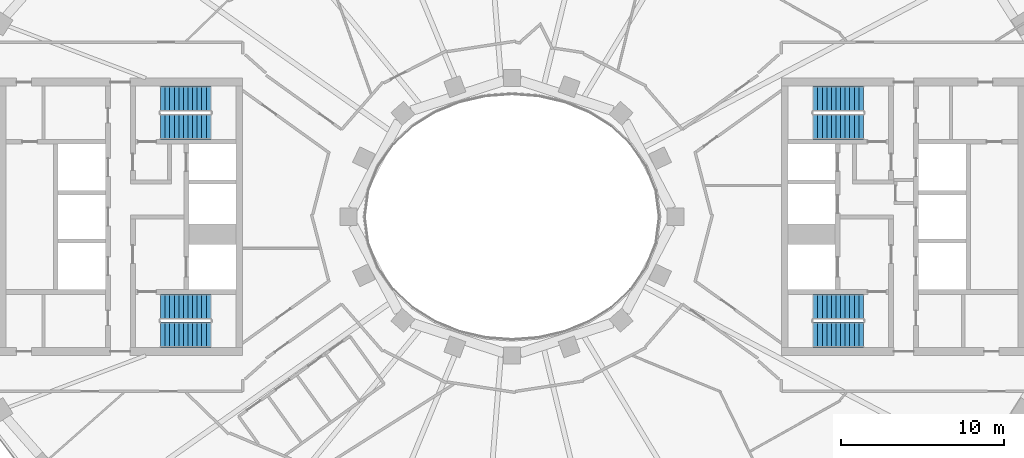
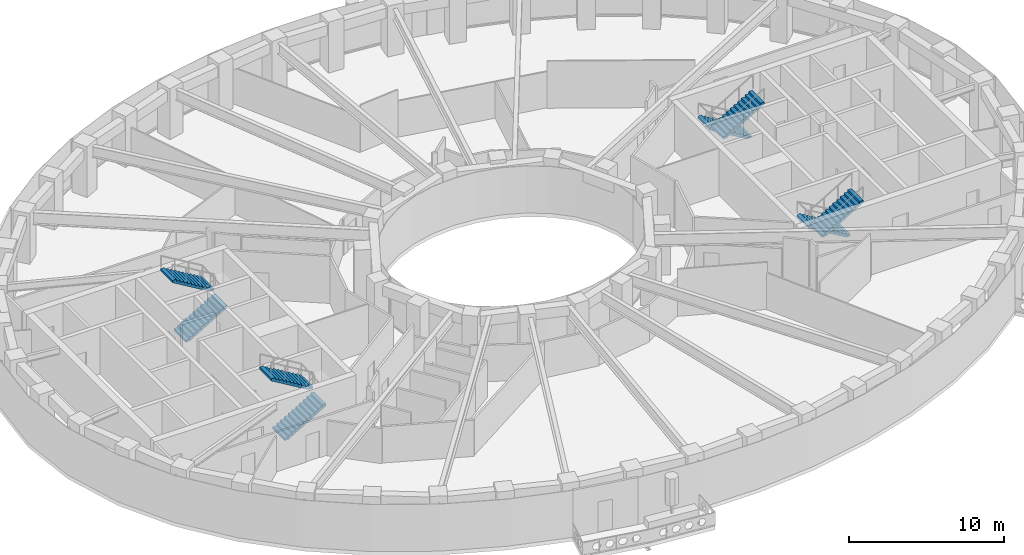
# One storey, part 7 of 16: 8 stair flights, 4 elements without a shape of their own.
"""IFC4 building model written with IfcOpenShell, lengths in metres."""

from ifc_helpers import new_model, si_unit, direction, frame, origin, place, context, subcontext, project, spatial, polyline, outline, extrude, material, type_object, element, aggregate, save


model = new_model("IFC4")

# Units and contexts
model_context = context("Model", 3, precision=1e-05, world=origin(), true_north=direction((0.0, 1.0)))
body_context = subcontext(model_context, "Body", "Model", "MODEL_VIEW")
ifc_project = project(units=[si_unit("LENGTHUNIT", "METRE"), si_unit("AREAUNIT", "SQUARE_METRE"), si_unit("VOLUMEUNIT", "CUBIC_METRE"), si_unit("PLANEANGLEUNIT", "RADIAN"), si_unit("MASSUNIT", "GRAM", prefix="KILO")], contexts=[model_context])

# Site, building, storey
site_placement = place(None, origin())
site = spatial("IfcSite", under=ifc_project, at=site_placement, CompositionType="ELEMENT")
building_placement = place(site_placement, origin())
building = spatial("IfcBuilding", under=site, at=building_placement, Name="Noorbagh Ring Tower", CompositionType="ELEMENT")
storey_placement = place(building_placement, frame((0.0, 0.0, 178.0)))
storey = spatial("IfcBuildingStorey", under=building, at=storey_placement, Name="L41", CompositionType="ELEMENT", Elevation=178.0)

# Stair, stair flights
ifc_material_1 = material(Name="Concrete C40/50", Category="concrete")
stair_type = type_object("IfcStairType", Name="CORE-STAIR", PredefinedType="HALF_TURN_STAIR", material=ifc_material_1)
stair_1_placement = place(storey_placement, origin())
stair_1 = element("IfcStair", 1, at=stair_1_placement, inside=storey, type_object=stair_type, Name="L41 Exit stair ST1", PredefinedType="HALF_TURN_STAIR")
ifc_material_2 = material(Name="Concrete C40/50", Category="concrete")
stair_flight_type = type_object("IfcStairFlightType", Name="CORE-STAIR-FLIGHT", PredefinedType="STRAIGHT", material=ifc_material_2)
stair_flight_1_placement = place(storey_placement, frame((-21.530029296875, 5.52490234375, 0.0), z_axis=(0.0, 0.0, 1.0), x_axis=(1.0, 0.0, 0.0)))
stair_flight_1 = element("IfcStairFlight", 2, at=stair_flight_1_placement, type_object=stair_flight_type, Name="ST1 flight 1", NumberOfRisers=12, NumberOfTreads=11, PredefinedType="STRAIGHT", RiserHeight=0.166666667, TreadLength=0.28, context=body_context, shape_type="SweptSolid", body=[
    extrude(outline(polyline([(0.0, 0.0), (0.0, 0.166748046875), (0.280029296875, 0.166748046875), (0.280029296875, 0.333251953125), (0.56005859375, 0.333251953125), (0.56005859375, 0.5), (0.840087890625, 0.5), (0.840087890625, 0.666748046875), (1.1201171875, 0.666748046875), (1.1201171875, 0.833251953125), (1.39990234375, 0.833251953125), (1.39990234375, 1.0), (1.679931640625, 1.0), (1.679931640625, 1.166748046875), (1.9599609375, 1.166748046875), (1.9599609375, 1.333251953125), (2.239990234375, 1.333251953125), (2.239990234375, 1.5), (2.52001953125, 1.5), (2.52001953125, 1.666748046875), (2.800048828125, 1.666748046875), (2.800048828125, 1.833251953125), (3.080078125, 1.833251953125), (3.080078125, 2.0), (3.080078125, 1.658935546875), (0.29296875, 0.0), (0.0, 0.0)])), frame((0.0, 0.77490234375, 0.0), z_axis=(0.0, -1.0, 0.0), x_axis=(1.0, 0.0, 0.0)), (0.0, 0.0, 1.0), 1.550048828125),
])
stair_flight_2_placement = place(storey_placement, frame((-18.449951171875, 7.22509765625, 2.0), z_axis=(0.0, 0.0, 1.0), x_axis=(-1.0, 0.0, 0.0)))
stair_flight_2 = element("IfcStairFlight", 3, at=stair_flight_2_placement, type_object=stair_flight_type, Name="ST1 flight 2", NumberOfRisers=12, NumberOfTreads=11, PredefinedType="STRAIGHT", RiserHeight=0.166666667, TreadLength=0.28, context=body_context, shape_type="SweptSolid", body=[
    extrude(outline(polyline([(0.0, 0.0), (0.0, 0.166748046875), (0.280029296875, 0.166748046875), (0.280029296875, 0.333251953125), (0.56005859375, 0.333251953125), (0.56005859375, 0.5), (0.840087890625, 0.5), (0.840087890625, 0.666748046875), (1.1201171875, 0.666748046875), (1.1201171875, 0.833251953125), (1.39990234375, 0.833251953125), (1.39990234375, 1.0), (1.679931640625, 1.0), (1.679931640625, 1.166748046875), (1.9599609375, 1.166748046875), (1.9599609375, 1.333251953125), (2.239990234375, 1.333251953125), (2.239990234375, 1.5), (2.52001953125, 1.5), (2.52001953125, 1.666748046875), (2.800048828125, 1.666748046875), (2.800048828125, 1.833251953125), (3.080078125, 1.833251953125), (3.080078125, 2.0), (3.080078125, 1.658935546875), (0.29296875, 0.0), (0.0, 0.0)])), frame((0.0, 0.77490234375, 0.0), z_axis=(0.0, -1.0, 0.0), x_axis=(1.0, 0.0, 0.0)), (0.0, 0.0, 1.0), 1.550048828125),
])
aggregate(stair_1, [stair_flight_1, stair_flight_2])

stair_2_placement = place(storey_placement, origin())
stair_2 = element("IfcStair", 4, at=stair_2_placement, inside=storey, type_object=stair_type, Name="L41 Exit stair ST2", PredefinedType="HALF_TURN_STAIR")
stair_flight_3_placement = place(storey_placement, frame((-21.530029296875, -7.22509765625, 0.0), z_axis=(0.0, 0.0, 1.0), x_axis=(1.0, 0.0, 0.0)))
stair_flight_3 = element("IfcStairFlight", 5, at=stair_flight_3_placement, type_object=stair_flight_type, Name="ST2 flight 1", NumberOfRisers=12, NumberOfTreads=11, PredefinedType="STRAIGHT", RiserHeight=0.166666667, TreadLength=0.28, context=body_context, shape_type="SweptSolid", body=[
    extrude(outline(polyline([(0.0, 0.0), (0.0, 0.166748046875), (0.280029296875, 0.166748046875), (0.280029296875, 0.333251953125), (0.56005859375, 0.333251953125), (0.56005859375, 0.5), (0.840087890625, 0.5), (0.840087890625, 0.666748046875), (1.1201171875, 0.666748046875), (1.1201171875, 0.833251953125), (1.39990234375, 0.833251953125), (1.39990234375, 1.0), (1.679931640625, 1.0), (1.679931640625, 1.166748046875), (1.9599609375, 1.166748046875), (1.9599609375, 1.333251953125), (2.239990234375, 1.333251953125), (2.239990234375, 1.5), (2.52001953125, 1.5), (2.52001953125, 1.666748046875), (2.800048828125, 1.666748046875), (2.800048828125, 1.833251953125), (3.080078125, 1.833251953125), (3.080078125, 2.0), (3.080078125, 1.658935546875), (0.29296875, 0.0), (0.0, 0.0)])), frame((0.0, 0.77490234375, 0.0), z_axis=(0.0, -1.0, 0.0), x_axis=(1.0, 0.0, 0.0)), (0.0, 0.0, 1.0), 1.550048828125),
])
stair_flight_4_placement = place(storey_placement, frame((-18.449951171875, -5.52490234375, 2.0), z_axis=(0.0, 0.0, 1.0), x_axis=(-1.0, 0.0, 0.0)))
stair_flight_4 = element("IfcStairFlight", 6, at=stair_flight_4_placement, type_object=stair_flight_type, Name="ST2 flight 2", NumberOfRisers=12, NumberOfTreads=11, PredefinedType="STRAIGHT", RiserHeight=0.166666667, TreadLength=0.28, context=body_context, shape_type="SweptSolid", body=[
    extrude(outline(polyline([(0.0, 0.0), (0.0, 0.166748046875), (0.280029296875, 0.166748046875), (0.280029296875, 0.333251953125), (0.56005859375, 0.333251953125), (0.56005859375, 0.5), (0.840087890625, 0.5), (0.840087890625, 0.666748046875), (1.1201171875, 0.666748046875), (1.1201171875, 0.833251953125), (1.39990234375, 0.833251953125), (1.39990234375, 1.0), (1.679931640625, 1.0), (1.679931640625, 1.166748046875), (1.9599609375, 1.166748046875), (1.9599609375, 1.333251953125), (2.239990234375, 1.333251953125), (2.239990234375, 1.5), (2.52001953125, 1.5), (2.52001953125, 1.666748046875), (2.800048828125, 1.666748046875), (2.800048828125, 1.833251953125), (3.080078125, 1.833251953125), (3.080078125, 2.0), (3.080078125, 1.658935546875), (0.29296875, 0.0), (0.0, 0.0)])), frame((0.0, 0.77490234375, 0.0), z_axis=(0.0, -1.0, 0.0), x_axis=(1.0, 0.0, 0.0)), (0.0, 0.0, 1.0), 1.550048828125),
])
aggregate(stair_2, [stair_flight_3, stair_flight_4])

stair_3_placement = place(storey_placement, origin())
stair_3 = element("IfcStair", 7, at=stair_3_placement, inside=storey, type_object=stair_type, Name="L41 Exit stair ST3", PredefinedType="HALF_TURN_STAIR")
stair_flight_5_placement = place(storey_placement, frame((21.530029296875, 7.22509765625, 0.0), z_axis=(0.0, 0.0, 1.0), x_axis=(-1.0, 0.0, 0.0)))
stair_flight_5 = element("IfcStairFlight", 8, at=stair_flight_5_placement, type_object=stair_flight_type, Name="ST3 flight 1", NumberOfRisers=12, NumberOfTreads=11, PredefinedType="STRAIGHT", RiserHeight=0.166666667, TreadLength=0.28, context=body_context, shape_type="SweptSolid", body=[
    extrude(outline(polyline([(0.0, 0.0), (0.0, 0.166748046875), (0.280029296875, 0.166748046875), (0.280029296875, 0.333251953125), (0.56005859375, 0.333251953125), (0.56005859375, 0.5), (0.840087890625, 0.5), (0.840087890625, 0.666748046875), (1.1201171875, 0.666748046875), (1.1201171875, 0.833251953125), (1.39990234375, 0.833251953125), (1.39990234375, 1.0), (1.679931640625, 1.0), (1.679931640625, 1.166748046875), (1.9599609375, 1.166748046875), (1.9599609375, 1.333251953125), (2.239990234375, 1.333251953125), (2.239990234375, 1.5), (2.52001953125, 1.5), (2.52001953125, 1.666748046875), (2.800048828125, 1.666748046875), (2.800048828125, 1.833251953125), (3.080078125, 1.833251953125), (3.080078125, 2.0), (3.080078125, 1.658935546875), (0.29296875, 0.0), (0.0, 0.0)])), frame((0.0, 0.77490234375, 0.0), z_axis=(0.0, -1.0, 0.0), x_axis=(1.0, 0.0, 0.0)), (0.0, 0.0, 1.0), 1.550048828125),
])
stair_flight_6_placement = place(storey_placement, frame((18.449951171875, 5.52490234375, 2.0), z_axis=(0.0, 0.0, 1.0), x_axis=(1.0, 0.0, 0.0)))
stair_flight_6 = element("IfcStairFlight", 9, at=stair_flight_6_placement, type_object=stair_flight_type, Name="ST3 flight 2", NumberOfRisers=12, NumberOfTreads=11, PredefinedType="STRAIGHT", RiserHeight=0.166666667, TreadLength=0.28, context=body_context, shape_type="SweptSolid", body=[
    extrude(outline(polyline([(0.0, 0.0), (0.0, 0.166748046875), (0.280029296875, 0.166748046875), (0.280029296875, 0.333251953125), (0.56005859375, 0.333251953125), (0.56005859375, 0.5), (0.840087890625, 0.5), (0.840087890625, 0.666748046875), (1.1201171875, 0.666748046875), (1.1201171875, 0.833251953125), (1.39990234375, 0.833251953125), (1.39990234375, 1.0), (1.679931640625, 1.0), (1.679931640625, 1.166748046875), (1.9599609375, 1.166748046875), (1.9599609375, 1.333251953125), (2.239990234375, 1.333251953125), (2.239990234375, 1.5), (2.52001953125, 1.5), (2.52001953125, 1.666748046875), (2.800048828125, 1.666748046875), (2.800048828125, 1.833251953125), (3.080078125, 1.833251953125), (3.080078125, 2.0), (3.080078125, 1.658935546875), (0.29296875, 0.0), (0.0, 0.0)])), frame((0.0, 0.77490234375, 0.0), z_axis=(0.0, -1.0, 0.0), x_axis=(1.0, 0.0, 0.0)), (0.0, 0.0, 1.0), 1.550048828125),
])
aggregate(stair_3, [stair_flight_5, stair_flight_6])

stair_4_placement = place(storey_placement, origin())
stair_4 = element("IfcStair", 10, at=stair_4_placement, inside=storey, type_object=stair_type, Name="L41 Exit stair ST4", PredefinedType="HALF_TURN_STAIR")
stair_flight_7_placement = place(storey_placement, frame((21.530029296875, -5.52490234375, 0.0), z_axis=(0.0, 0.0, 1.0), x_axis=(-1.0, 0.0, 0.0)))
stair_flight_7 = element("IfcStairFlight", 11, at=stair_flight_7_placement, type_object=stair_flight_type, Name="ST4 flight 1", NumberOfRisers=12, NumberOfTreads=11, PredefinedType="STRAIGHT", RiserHeight=0.166666667, TreadLength=0.28, context=body_context, shape_type="SweptSolid", body=[
    extrude(outline(polyline([(0.0, 0.0), (0.0, 0.166748046875), (0.280029296875, 0.166748046875), (0.280029296875, 0.333251953125), (0.56005859375, 0.333251953125), (0.56005859375, 0.5), (0.840087890625, 0.5), (0.840087890625, 0.666748046875), (1.1201171875, 0.666748046875), (1.1201171875, 0.833251953125), (1.39990234375, 0.833251953125), (1.39990234375, 1.0), (1.679931640625, 1.0), (1.679931640625, 1.166748046875), (1.9599609375, 1.166748046875), (1.9599609375, 1.333251953125), (2.239990234375, 1.333251953125), (2.239990234375, 1.5), (2.52001953125, 1.5), (2.52001953125, 1.666748046875), (2.800048828125, 1.666748046875), (2.800048828125, 1.833251953125), (3.080078125, 1.833251953125), (3.080078125, 2.0), (3.080078125, 1.658935546875), (0.29296875, 0.0), (0.0, 0.0)])), frame((0.0, 0.77490234375, 0.0), z_axis=(0.0, -1.0, 0.0), x_axis=(1.0, 0.0, 0.0)), (0.0, 0.0, 1.0), 1.550048828125),
])
stair_flight_8_placement = place(storey_placement, frame((18.449951171875, -7.22509765625, 2.0), z_axis=(0.0, 0.0, 1.0), x_axis=(1.0, 0.0, 0.0)))
stair_flight_8 = element("IfcStairFlight", 12, at=stair_flight_8_placement, type_object=stair_flight_type, Name="ST4 flight 2", NumberOfRisers=12, NumberOfTreads=11, PredefinedType="STRAIGHT", RiserHeight=0.166666667, TreadLength=0.28, context=body_context, shape_type="SweptSolid", body=[
    extrude(outline(polyline([(0.0, 0.0), (0.0, 0.166748046875), (0.280029296875, 0.166748046875), (0.280029296875, 0.333251953125), (0.56005859375, 0.333251953125), (0.56005859375, 0.5), (0.840087890625, 0.5), (0.840087890625, 0.666748046875), (1.1201171875, 0.666748046875), (1.1201171875, 0.833251953125), (1.39990234375, 0.833251953125), (1.39990234375, 1.0), (1.679931640625, 1.0), (1.679931640625, 1.166748046875), (1.9599609375, 1.166748046875), (1.9599609375, 1.333251953125), (2.239990234375, 1.333251953125), (2.239990234375, 1.5), (2.52001953125, 1.5), (2.52001953125, 1.666748046875), (2.800048828125, 1.666748046875), (2.800048828125, 1.833251953125), (3.080078125, 1.833251953125), (3.080078125, 2.0), (3.080078125, 1.658935546875), (0.29296875, 0.0), (0.0, 0.0)])), frame((0.0, 0.77490234375, 0.0), z_axis=(0.0, -1.0, 0.0), x_axis=(1.0, 0.0, 0.0)), (0.0, 0.0, 1.0), 1.550048828125),
])
aggregate(stair_4, [stair_flight_7, stair_flight_8])

save(model, "model.ifc")
